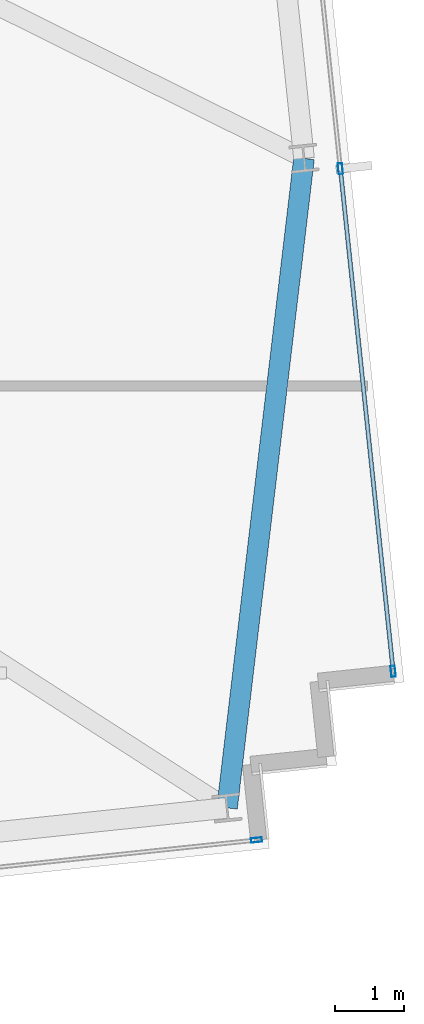
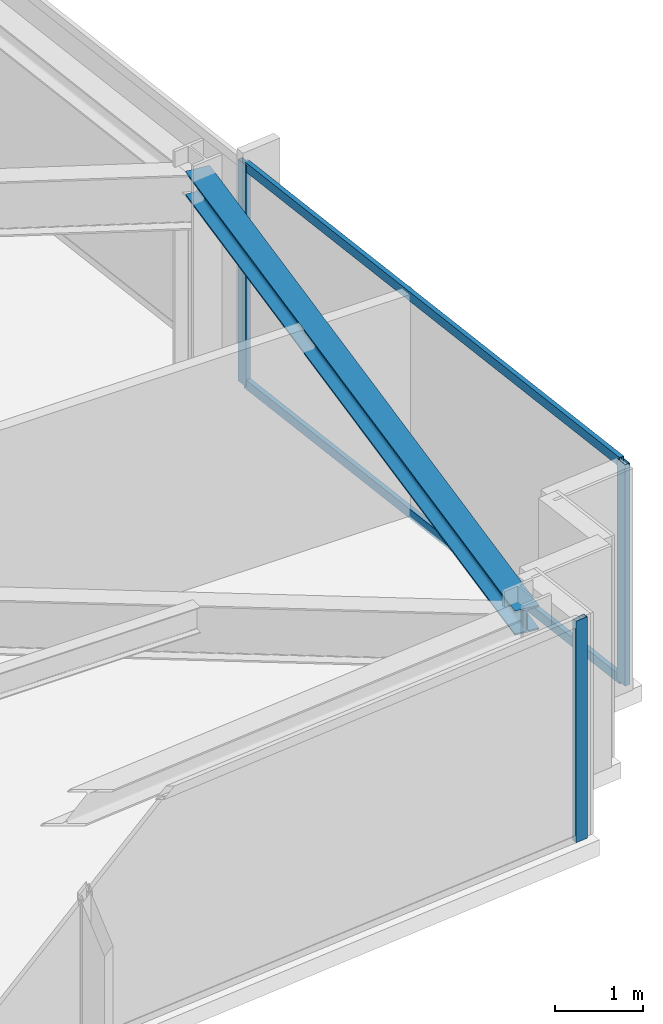
# One storey, part 17 of 33: 5 members, 1 beam, 2 elements without a shape of their own.
"""IFC4 building model written with IfcOpenShell, lengths in metres."""

from ifc_helpers import new_model, si_unit, direction, frame, origin, origin_2d, place, context, subcontext, project, spatial, hollow_rectangle, i_section, extrude, material, material_profile, profile_set, type_object, element, aggregate, save


model = new_model("IFC4")

# Units and contexts
model_context = context("Model", 3, precision=1e-05, world=origin(), true_north=direction((0.0, 1.0)))
body_context = subcontext(model_context, "Body", "Model", "MODEL_VIEW")
ifc_project = project(units=[si_unit("LENGTHUNIT", "METRE"), si_unit("AREAUNIT", "SQUARE_METRE"), si_unit("VOLUMEUNIT", "CUBIC_METRE"), si_unit("PLANEANGLEUNIT", "RADIAN"), si_unit("MASSUNIT", "GRAM", prefix="KILO")], contexts=[model_context])

# Site, building, storey
site_placement = place(None, origin())
site = spatial("IfcSite", under=ifc_project, at=site_placement, CompositionType="ELEMENT")
building_placement = place(site_placement, origin())
building = spatial("IfcBuilding", under=site, at=building_placement, Name="Yelkora Congress Tower", CompositionType="ELEMENT")
storey_placement = place(building_placement, frame((0.0, 0.0, 221.0)))
storey = spatial("IfcBuildingStorey", under=building, at=storey_placement, Name="L61", CompositionType="ELEMENT", Elevation=221.0)

# Beam
ifc_material_1 = material(Name="Steel S355J2", Category="steel")
ifc_material_profile_1 = material_profile(ifc_material_1, i_section(OverallWidth=0.300048828125, OverallDepth=0.340087890625, WebThickness=0.011962890625, FlangeThickness=0.021484375, FilletRadius=0.027099609375, at=origin_2d()), Name="HEB 340")
ifc_profile_set_1 = profile_set([ifc_material_profile_1], Name="Steel S355J2")
beam_type = type_object("IfcBeamType", Name="BM-SPAN-HEB340", PredefinedType="SPANDREL", material=ifc_profile_set_1)
beam_placement = place(storey_placement, frame((69.235107421875, 17.716796875, 2.909912109375), z_axis=(0.11765897357, 0.993054059928, 0.0), x_axis=(-0.993054059928, 0.11765897357, 0.0)))
element("IfcBeam", 1, at=beam_placement, inside=storey, type_object=beam_type, Name="L61 Perimeter Beam 9", PredefinedType="SPANDREL", context=body_context, shape_type="SweptSolid", body=[
    extrude(i_section(OverallWidth=0.300048828125, OverallDepth=0.340087890625, WebThickness=0.011962890625, FlangeThickness=0.021484375, FilletRadius=0.027099609375, at=origin_2d()), origin(), (0.0, 0.0, 1.0), 9.509765625),
])

# Curtain wall, members
ifc_material_2 = material(Name="Anodised aluminium and insulated glass", Category="aluminium")
curtain_wall_type = type_object("IfcCurtainWallType", Name="CW-SYS-B4", PredefinedType="NOTDEFINED", material=ifc_material_2)
curtain_wall_1_placement = place(storey_placement, origin())
curtain_wall_1 = element("IfcCurtainWall", 2, at=curtain_wall_1_placement, inside=storey, type_object=curtain_wall_type, Name="L61 Unitised Curtain Wall 15", PredefinedType="NOTDEFINED")
ifc_material_3 = material(Name="Anodised aluminium 6063-T6", Category="aluminium")
ifc_material_profile_2 = material_profile(ifc_material_3, hollow_rectangle(XDim=0.06494140625, YDim=0.159912109375, WallThickness=0.00390625, at=origin_2d()), Name="ALU 65x160x4")
ifc_profile_set_2 = profile_set([ifc_material_profile_2], Name="Anodised aluminium 6063-T6")
member_type_1 = type_object("IfcMemberType", Name="MEM-ML-B4", PredefinedType="MULLION", material=ifc_profile_set_2)
member_1_placement = place(storey_placement, frame((70.882568359375, 27.009765625, 0.0), z_axis=(0.0, 0.0, 1.0), x_axis=(0.994522182968, 0.104525726898, 0.0)))
member_1 = element("IfcMember", 3, at=member_1_placement, type_object=member_type_1, Name="CW-B4 mullion 4", PredefinedType="MULLION", context=body_context, shape_type="SweptSolid", body=[
    extrude(hollow_rectangle(XDim=0.06494140625, YDim=0.159912109375, WallThickness=0.00390625, at=origin_2d()), origin(), (0.0, 0.0, 1.0), 3.080078125),
])
member_2_placement = place(storey_placement, frame((71.650634765625, 19.70263671875, 0.0), z_axis=(0.0, 0.0, 1.0), x_axis=(0.994522182968, 0.104525726898, 0.0)))
member_2 = element("IfcMember", 4, at=member_2_placement, type_object=member_type_1, Name="CW-B4 mullion 5", PredefinedType="MULLION", context=body_context, shape_type="SweptSolid", body=[
    extrude(hollow_rectangle(XDim=0.06494140625, YDim=0.159912109375, WallThickness=0.00390625, at=origin_2d()), origin(), (0.0, 0.0, 1.0), 3.080078125),
])

# Curtain wall, member
curtain_wall_2_placement = place(storey_placement, origin())
curtain_wall_2 = element("IfcCurtainWall", 5, at=curtain_wall_2_placement, inside=storey, type_object=curtain_wall_type, Name="L61 Unitised Curtain Wall 20", PredefinedType="NOTDEFINED")
member_3_placement = place(storey_placement, frame((69.663818359375, 17.2490234375, 0.0), z_axis=(0.0, 0.0, 1.0), x_axis=(0.104526664994, -0.994522084373, 0.0)))
member_3 = element("IfcMember", 6, at=member_3_placement, type_object=member_type_1, Name="CW-B4 mullion 1", PredefinedType="MULLION", context=body_context, shape_type="SweptSolid", body=[
    extrude(hollow_rectangle(XDim=0.06494140625, YDim=0.159912109375, WallThickness=0.00390625, at=origin_2d()), origin(), (0.0, 0.0, 1.0), 3.080078125),
])
aggregate(curtain_wall_2, [member_3])

# Member
ifc_material_profile_3 = material_profile(ifc_material_3, hollow_rectangle(XDim=0.06005859375, YDim=0.1298828125, WallThickness=0.00390625, at=origin_2d()), Name="ALU 60x130x4")
ifc_profile_set_3 = profile_set([ifc_material_profile_3], Name="Anodised aluminium 6063-T6")
member_type_2 = type_object("IfcMemberType", Name="MEM-TR-B4", PredefinedType="USERDEFINED", material=ifc_profile_set_3)
member_4_placement = place(storey_placement, frame((70.885986328125, 26.9775390625, 0.030029296875), z_axis=(0.104527725728, -0.994521972886, 0.0), x_axis=(0.994521972886, 0.104527725728, 0.0)))
member_4 = element("IfcMember", 7, at=member_4_placement, type_object=member_type_2, Name="CW-B4 transom 4.1", ObjectType="TRANSOM", PredefinedType="USERDEFINED", context=body_context, shape_type="SweptSolid", body=[
    extrude(hollow_rectangle(XDim=0.06005859375, YDim=0.1298828125, WallThickness=0.00390625, at=origin_2d()), origin(), (0.0, 0.0, 1.0), 7.282470703125),
])

member_5_placement = place(storey_placement, frame((70.885986328125, 26.9775390625, 3.050048828125), z_axis=(0.104527725728, -0.994521972886, 0.0), x_axis=(0.994521972886, 0.104527725728, 0.0)))
member_5 = element("IfcMember", 8, at=member_5_placement, type_object=member_type_2, Name="CW-B4 transom 4.2", ObjectType="TRANSOM", PredefinedType="USERDEFINED", context=body_context, shape_type="SweptSolid", body=[
    extrude(hollow_rectangle(XDim=0.06005859375, YDim=0.1298828125, WallThickness=0.00390625, at=origin_2d()), origin(), (0.0, 0.0, 1.0), 7.282470703125),
])

aggregate(curtain_wall_1, [member_1, member_2, member_4, member_5])

save(model, "model.ifc")
